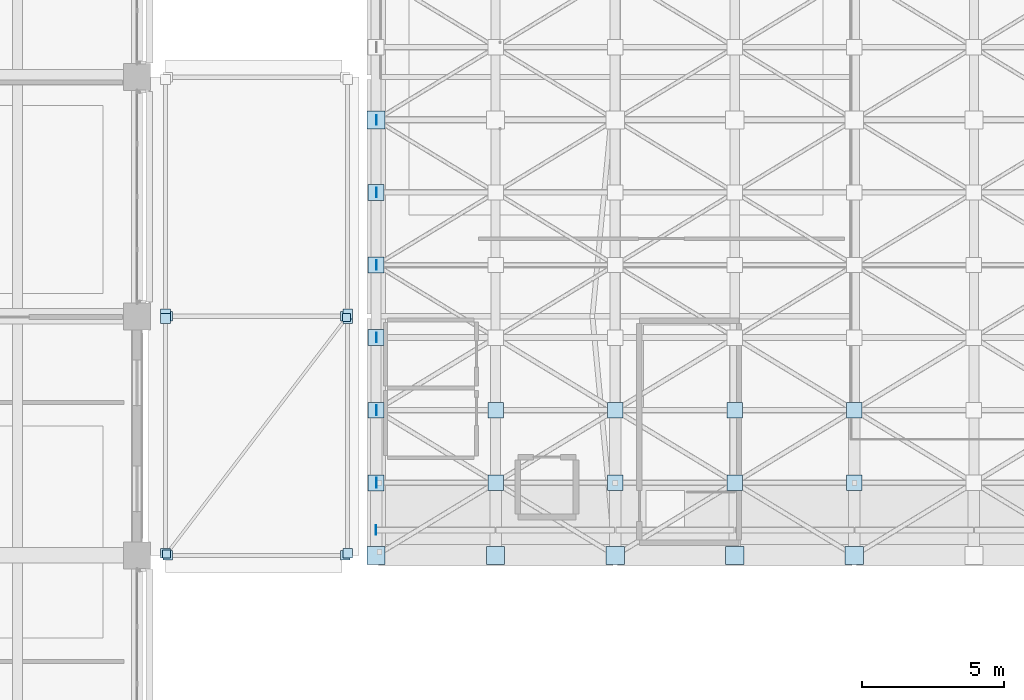
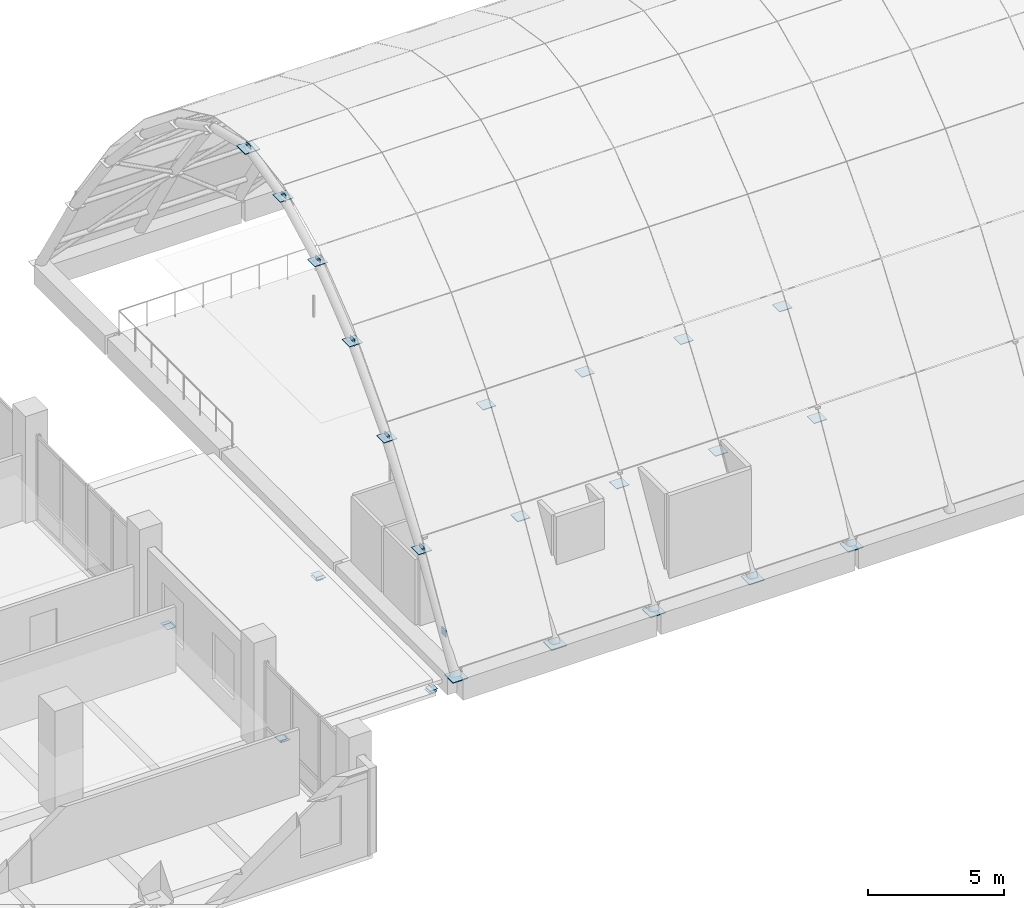
# One storey, part 45 of 128: 38 plates.
"""IFC4 building model written with IfcOpenShell, lengths in metres."""

from ifc_helpers import new_model, si_unit, direction, frame, origin, origin_2d, place, context, subcontext, project, spatial, rectangle, extrude, material, layer, layer_set, type_object, element, save


model = new_model("IFC4")

# Units and contexts
model_context = context("Model", 3, precision=1e-05, world=origin(), true_north=direction((0.0, 1.0)))
body_context = subcontext(model_context, "Body", "Model", "MODEL_VIEW")
ifc_project = project(units=[si_unit("LENGTHUNIT", "METRE"), si_unit("AREAUNIT", "SQUARE_METRE"), si_unit("VOLUMEUNIT", "CUBIC_METRE"), si_unit("PLANEANGLEUNIT", "RADIAN"), si_unit("MASSUNIT", "GRAM", prefix="KILO")], contexts=[model_context])

# Site, building, storey
site_placement = place(None, origin())
site = spatial("IfcSite", under=ifc_project, at=site_placement, CompositionType="ELEMENT")
building_placement = place(site_placement, origin())
building = spatial("IfcBuilding", under=site, at=building_placement, Name="Telukmera Botanical Conservatory", CompositionType="ELEMENT")
storey_placement = place(building_placement, frame((0.0, 0.0, 5.39990234375)))
storey = spatial("IfcBuildingStorey", under=building, at=storey_placement, Name="L01", CompositionType="ELEMENT", Elevation=5.39990234375)

# Plates
ifc_material = material(Name="Steel S355", Category="steel")
ifc_layer_1 = layer(ifc_material, 0.01611328125)
ifc_layer_set_1 = layer_set([ifc_layer_1], Name="Steel S355")
plate_type_1 = type_object("IfcPlateType", Name="Plate_CP1", PredefinedType="USERDEFINED", material=ifc_layer_set_1)
for number, where, z_axis, x_axis, name in (
    (1, (110.280029296875, 17.60009765625, -0.31787109375), (0.0, 0.0, 1.0), (1.0, 0.0, 0.0), "CP1 Beam End Cap beam:V5:L01:east_link:gx:176:1102"),
    (2, (116.52001953125, 17.60009765625, -0.31787109375), (0.0, 0.0, 1.0), (1.0, 0.0, 0.0), "CP1 Beam End Cap beam:V5:L01:east_link:gx:176:1102"),
    (3, (110.280029296875, 26.0, -0.31787109375), (0.0, 0.0, 1.0), (1.0, 0.0, 0.0), "CP1 Beam End Cap beam:V5:L01:east_link:gx:260:1102"),
    (4, (116.52001953125, 26.0, -0.31787109375), (0.0, 0.0, 1.0), (1.0, 0.0, 0.0), "CP1 Beam End Cap beam:V5:L01:east_link:gx:260:1102"),
    (5, (110.199951171875, 17.679931640625, -0.29296875), (0.0, 0.0, 1.0), (1.0, 0.0, 0.0), "CP1 Beam End Cap beam:V5:L01:east_link:gy:1102:176"),
    (6, (110.199951171875, 25.919921875, -0.29296875), (0.0, 0.0, 1.0), (1.0, 0.0, 0.0), "CP1 Beam End Cap beam:V5:L01:east_link:gy:1102:176"),
    (7, (110.199951171875, 26.080078125, -0.29296875), (0.0, 0.0, 1.0), (1.0, 0.0, 0.0), "CP1 Beam End Cap beam:V5:L01:east_link:gy:1102:260"),
    (8, (116.60009765625, 17.679931640625, -0.29296875), (0.0, 0.0, 1.0), (1.0, 0.0, 0.0), "CP1 Beam End Cap beam:V5:L01:east_link:gy:1166:176"),
    (9, (116.60009765625, 25.919921875, -0.29296875), (0.0, 0.0, 1.0), (1.0, 0.0, 0.0), "CP1 Beam End Cap beam:V5:L01:east_link:gy:1166:176"),
    (10, (116.60009765625, 26.080078125, -0.29296875), (0.0, 0.0, 1.0), (1.0, 0.0, 0.0), "CP1 Beam End Cap beam:V5:L01:east_link:gy:1166:260"),
):
    element("IfcPlate", number, at=place(storey_placement, frame(where, z_axis=z_axis, x_axis=x_axis)), inside=storey, type_object=plate_type_1, Name=name, ObjectType="CAP_PLATE", PredefinedType="USERDEFINED", context=body_context, shape_type="SweptSolid", body=[
        extrude(rectangle(XDim=0.340087890625, YDim=0.340087890625, at=origin_2d()), origin(), (0.0, 0.0, 1.0), 0.01611328125),
    ])
for number, where, z_axis, x_axis, name in (
    (11, (110.236328125, 17.647705078125, -0.387939453125), (0.0, 0.0, 1.0), (1.0, 0.0, 0.0), "CP1 Canopy Brace Cap east_link"),
    (12, (116.563720703125, 25.952392578125, -0.387939453125), (0.0, 0.0, 1.0), (1.0, 0.0, 0.0), "CP1 Canopy Brace Cap east_link"),
):
    element("IfcPlate", number, at=place(storey_placement, frame(where, z_axis=z_axis, x_axis=x_axis)), inside=storey, type_object=plate_type_1, Name=name, ObjectType="CAP_PLATE", PredefinedType="USERDEFINED", context=body_context, shape_type="SweptSolid", body=[
        extrude(rectangle(XDim=0.280029296875, YDim=0.280029296875, at=origin_2d()), origin(), (0.0, 0.0, 1.0), 0.01611328125),
    ])
for number, where, z_axis, x_axis, name in (
    (13, (117.60009765625, 18.492431640625, 1.21435546875), (0.0, 0.0, 1.0), (1.0, 0.0, 0.0), "CP1 Gridshell Gable Rib End Cap 00-00"),
    (14, (117.612060546875, 20.14990234375, 3.93310546875), (0.0, 0.0, 1.0), (1.0, 0.0, 0.0), "CP1 Gridshell Gable Rib End Cap 00-01"),
    (15, (117.612060546875, 22.699951171875, 7.408203125), (0.0, 0.0, 1.0), (1.0, 0.0, 0.0), "CP1 Gridshell Gable Rib End Cap 00-02"),
    (16, (117.612060546875, 25.25, 10.17578125), (0.0, 0.0, 1.0), (1.0, 0.0, 0.0), "CP1 Gridshell Gable Rib End Cap 00-03"),
    (17, (117.612060546875, 27.800048828125, 12.23486328125), (0.0, 0.0, 1.0), (1.0, 0.0, 0.0), "CP1 Gridshell Gable Rib End Cap 00-04"),
    (18, (117.612060546875, 30.35009765625, 13.58642578125), (0.0, 0.0, 1.0), (1.0, 0.0, 0.0), "CP1 Gridshell Gable Rib End Cap 00-05"),
    (19, (117.612060546875, 32.89990234375, 14.22998046875), (0.0, 0.0, 1.0), (1.0, 0.0, 0.0), "CP1 Gridshell Gable Rib End Cap 00-06"),
):
    element("IfcPlate", number, at=place(storey_placement, frame(where, z_axis=z_axis, x_axis=x_axis)), inside=storey, type_object=plate_type_1, Name=name, ObjectType="CAP_PLATE", PredefinedType="USERDEFINED", context=body_context, shape_type="SweptSolid", body=[
        extrude(rectangle(XDim=0.01611328125, YDim=0.340087890625, at=origin_2d()), origin(), (0.0, 0.0, 1.0), 0.340087890625),
    ])
ifc_layer_2 = layer(ifc_material, 0.031982421875)
ifc_layer_set_2 = layer_set([ifc_layer_2], Name="Steel S355")
plate_type_2 = type_object("IfcPlateType", Name="Plate_GN1", PredefinedType="USERDEFINED", material=ifc_layer_set_2)
for number, where, z_axis, x_axis, name in (
    (20, (117.60009765625, 17.60009765625, -0.095703125), (0.0, 0.0, 1.0), (1.0, 0.0, 0.0), "GN1 Gridshell Welded Node Drum (00-00)"),
    (21, (117.60009765625, 32.89990234375, 14.38427734375), (0.0, 0.0, 1.0), (1.0, 0.0, 0.0), "GN1 Gridshell Welded Node Drum (00-06)"),
    (22, (121.800048828125, 17.60009765625, -0.095703125), (0.0, 0.0, 1.0), (1.0, 0.0, 0.0), "GN1 Gridshell Welded Node Drum (01-00)"),
    (23, (126.0, 17.60009765625, -0.095703125), (0.0, 0.0, 1.0), (1.0, 0.0, 0.0), "GN1 Gridshell Welded Node Drum (02-00)"),
    (24, (130.199951171875, 17.60009765625, -0.095703125), (0.0, 0.0, 1.0), (1.0, 0.0, 0.0), "GN1 Gridshell Welded Node Drum (03-00)"),
    (25, (134.39990234375, 17.60009765625, -0.095703125), (0.0, 0.0, 1.0), (1.0, 0.0, 0.0), "GN1 Gridshell Welded Node Drum (04-00)"),
):
    element("IfcPlate", number, at=place(storey_placement, frame(where, z_axis=z_axis, x_axis=x_axis)), inside=storey, type_object=plate_type_2, Name=name, ObjectType="GUSSET_PLATE", PredefinedType="USERDEFINED", context=body_context, shape_type="SweptSolid", body=[
        extrude(rectangle(XDim=0.639892578125, YDim=0.639892578125, at=origin_2d()), origin(), (0.0, 0.0, 1.0), 0.031982421875),
    ])
ifc_layer_3 = layer(ifc_material, 0.02490234375)
ifc_layer_set_3 = layer_set([ifc_layer_3], Name="Steel S355")
plate_type_3 = type_object("IfcPlateType", Name="Plate_GN2", PredefinedType="USERDEFINED", material=ifc_layer_set_3)
for number, where, z_axis, x_axis, name in (
    (26, (121.800048828125, 20.14990234375, 4.0908203125), (0.0, 0.0, 1.0), (1.0, 0.0, 0.0), "GN2 Gridshell Welded Node Drum (01-01)"),
    (27, (121.800048828125, 22.699951171875, 7.56591796875), (0.0, 0.0, 1.0), (1.0, 0.0, 0.0), "GN2 Gridshell Welded Node Drum (01-02)"),
    (28, (126.0, 20.14990234375, 4.0908203125), (0.0, 0.0, 1.0), (1.0, 0.0, 0.0), "GN2 Gridshell Welded Node Drum (02-01)"),
    (29, (126.0, 22.699951171875, 7.56591796875), (0.0, 0.0, 1.0), (1.0, 0.0, 0.0), "GN2 Gridshell Welded Node Drum (02-02)"),
    (30, (130.199951171875, 20.14990234375, 4.0908203125), (0.0, 0.0, 1.0), (1.0, 0.0, 0.0), "GN2 Gridshell Welded Node Drum (03-01)"),
    (31, (130.199951171875, 22.699951171875, 7.56591796875), (0.0, 0.0, 1.0), (1.0, 0.0, 0.0), "GN2 Gridshell Welded Node Drum (03-02)"),
    (32, (134.39990234375, 20.14990234375, 4.0908203125), (0.0, 0.0, 1.0), (1.0, 0.0, 0.0), "GN2 Gridshell Welded Node Drum (04-01)"),
    (33, (134.39990234375, 22.699951171875, 7.56591796875), (0.0, 0.0, 1.0), (1.0, 0.0, 0.0), "GN2 Gridshell Welded Node Drum (04-02)"),
):
    element("IfcPlate", number, at=place(storey_placement, frame(where, z_axis=z_axis, x_axis=x_axis)), inside=storey, type_object=plate_type_3, Name=name, ObjectType="GUSSET_PLATE", PredefinedType="USERDEFINED", context=body_context, shape_type="SweptSolid", body=[
        extrude(rectangle(XDim=0.5400390625, YDim=0.5400390625, at=origin_2d()), origin(), (0.0, 0.0, 1.0), 0.02490234375),
    ])
ifc_layer_4 = layer(ifc_material, 0.02001953125)
ifc_layer_set_4 = layer_set([ifc_layer_4], Name="Steel S355")
plate_type_4 = type_object("IfcPlateType", Name="Plate_GN3", PredefinedType="USERDEFINED", material=ifc_layer_set_4)
for number, where, z_axis, x_axis, name in (
    (34, (117.60009765625, 20.14990234375, 4.09326171875), (0.0, 0.0, 1.0), (1.0, 0.0, 0.0), "GN3 Gridshell Welded Node Drum (00-01)"),
    (35, (117.60009765625, 22.699951171875, 7.568359375), (0.0, 0.0, 1.0), (1.0, 0.0, 0.0), "GN3 Gridshell Welded Node Drum (00-02)"),
    (36, (117.60009765625, 25.25, 10.335693359375), (0.0, 0.0, 1.0), (1.0, 0.0, 0.0), "GN3 Gridshell Welded Node Drum (00-03)"),
    (37, (117.60009765625, 27.800048828125, 12.39501953125), (0.0, 0.0, 1.0), (1.0, 0.0, 0.0), "GN3 Gridshell Welded Node Drum (00-04)"),
    (38, (117.60009765625, 30.35009765625, 13.74658203125), (0.0, 0.0, 1.0), (1.0, 0.0, 0.0), "GN3 Gridshell Welded Node Drum (00-05)"),
):
    element("IfcPlate", number, at=place(storey_placement, frame(where, z_axis=z_axis, x_axis=x_axis)), inside=storey, type_object=plate_type_4, Name=name, ObjectType="GUSSET_PLATE", PredefinedType="USERDEFINED", context=body_context, shape_type="SweptSolid", body=[
        extrude(rectangle(XDim=0.56005859375, YDim=0.56005859375, at=origin_2d()), origin(), (0.0, 0.0, 1.0), 0.02001953125),
    ])

save(model, "model.ifc")
